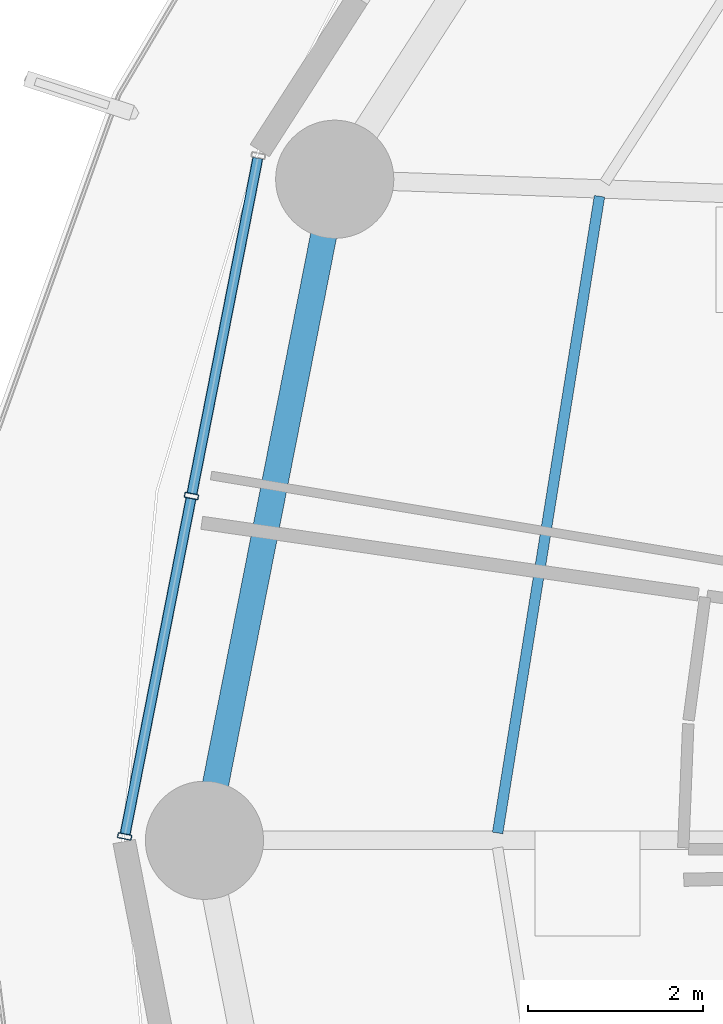
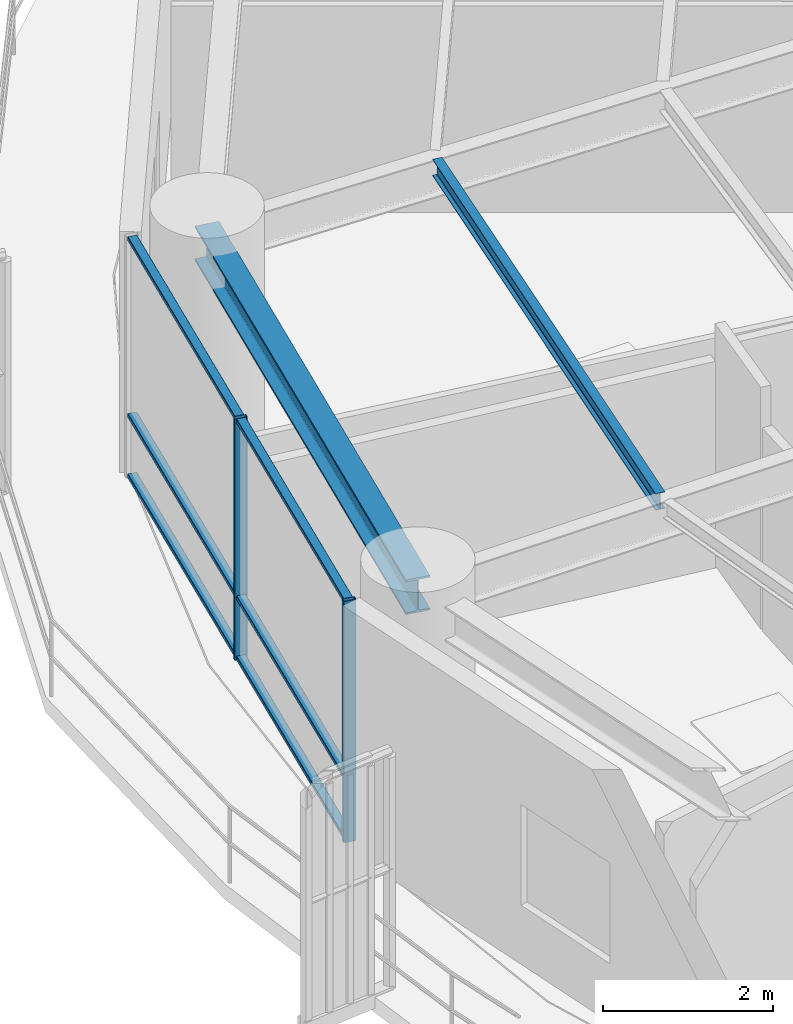
# One storey, part 8 of 35: 8 members, 2 beams, 1 element without a shape of its own.
"""IFC4 building model written with IfcOpenShell, lengths in metres."""

from ifc_helpers import new_model, si_unit, direction, frame, origin, origin_2d, place, context, subcontext, project, spatial, hollow_rectangle, i_section, extrude, material, layer, layer_set, material_profile, profile_set, type_object, element, aggregate, save


model = new_model("IFC4")

# Units and contexts
model_context = context("Model", 3, precision=1e-05, world=origin(), true_north=direction((0.0, 1.0)))
body_context = subcontext(model_context, "Body", "Model", "MODEL_VIEW")
ifc_project = project(units=[si_unit("LENGTHUNIT", "METRE"), si_unit("AREAUNIT", "SQUARE_METRE"), si_unit("VOLUMEUNIT", "CUBIC_METRE"), si_unit("PLANEANGLEUNIT", "RADIAN"), si_unit("MASSUNIT", "GRAM", prefix="KILO")], contexts=[model_context])

# Site, building, storey
site_placement = place(None, origin())
site = spatial("IfcSite", under=ifc_project, at=site_placement, CompositionType="ELEMENT")
building_placement = place(site_placement, origin())
building = spatial("IfcBuilding", under=site, at=building_placement, Name="Kelanora Arch Commons", CompositionType="ELEMENT")
storey_placement = place(building_placement, frame((0.0, 0.0, 91.35009765625)))
storey = spatial("IfcBuildingStorey", under=building, at=storey_placement, Name="L23", CompositionType="ELEMENT", Elevation=91.35009765625)

# Beams
ifc_material_1 = material(Name="Steel S355", Category="steel")
ifc_material_profile_1 = material_profile(ifc_material_1, i_section(OverallWidth=0.1201171875, OverallDepth=0.239990234375, WebThickness=0.006103515625, FlangeThickness=0.009765625, FilletRadius=0.014892578125, at=origin_2d()), Name="IPE240")
ifc_profile_set_1 = profile_set([ifc_material_profile_1], Name="Steel S355")
beam_type_1 = type_object("IfcBeamType", Name="BM-JST-02", PredefinedType="JOIST", material=ifc_profile_set_1)
beam_1_placement = place(storey_placement, frame((53.833251953125, 65.357421875, 3.369873046875), z_axis=(-0.157999549894, -0.987439184068, 0.0), x_axis=(0.987439184068, -0.157999549894, 0.0)))
element("IfcBeam", 1, at=beam_1_placement, inside=storey, type_object=beam_type_1, Name="Secondary Chord Joist BJC-16 L23", PredefinedType="JOIST", context=body_context, shape_type="SweptSolid", body=[
    extrude(i_section(OverallWidth=0.1201171875, OverallDepth=0.239990234375, WebThickness=0.006103515625, FlangeThickness=0.009765625, FilletRadius=0.014892578125, at=origin_2d()), origin(), (0.0, 0.0, 1.0), 7.365966796875),
])
ifc_material_profile_2 = material_profile(ifc_material_1, i_section(OverallWidth=0.300048828125, OverallDepth=0.5, WebThickness=0.014404296875, FlangeThickness=0.028076171875, FilletRadius=0.027099609375, at=origin_2d()), Name="HEB500")
ifc_profile_set_2 = profile_set([ifc_material_profile_2], Name="Steel S355")
beam_type_2 = type_object("IfcBeamType", Name="BM-SPN-Z2", PredefinedType="SPANDREL", material=ifc_profile_set_2)
beam_2_placement = place(storey_placement, frame((50.808349609375, 65.5517578125, 3.239990234375), z_axis=(-0.19335825777, -0.981128220037, 0.0), x_axis=(0.981128220037, -0.19335825777, 0.0)))
element("IfcBeam", 2, at=beam_2_placement, inside=storey, type_object=beam_type_2, Name="Perimeter Spandrel Beam BS-16 L23", PredefinedType="SPANDREL", context=body_context, shape_type="SweptSolid", body=[
    extrude(i_section(OverallWidth=0.300048828125, OverallDepth=0.5, WebThickness=0.014404296875, FlangeThickness=0.028076171875, FilletRadius=0.027099609375, at=origin_2d()), origin(), (0.0, 0.0, 1.0), 7.697021484375),
])

# Curtain wall, members
ifc_material_2 = material(Name="Terracotta ceramic-fritted low-E glass and aluminium", Category="masonry")
ifc_layer = layer(ifc_material_2, 0.159912109375)
ifc_layer_set = layer_set([ifc_layer], Name="Terracotta ceramic-fritted low-E glass and aluminium")
curtain_wall_type = type_object("IfcCurtainWallType", Name="CW-SYS-01", PredefinedType="NOTDEFINED", material=ifc_layer_set)
curtain_wall_placement = place(storey_placement, origin())
curtain_wall = element("IfcCurtainWall", 3, at=curtain_wall_placement, inside=storey, type_object=curtain_wall_type, Name="Unitised Curtain Wall L23-B08", PredefinedType="NOTDEFINED")
ifc_material_3 = material(Name="Powder-coated aluminium terracotta", Category="masonry")
ifc_material_profile_3 = material_profile(ifc_material_3, hollow_rectangle(XDim=0.159912109375, YDim=0.06005859375, WallThickness=0.0048828125, InnerFilletRadius=0.0048828125, OuterFilletRadius=0.010009765625, at=origin_2d()), Name="CWM160x60")
ifc_profile_set_3 = profile_set([ifc_material_profile_3], Name="Powder-coated aluminium terracotta")
member_type_1 = type_object("IfcMemberType", Name="CWM-STD", PredefinedType="MULLION", material=ifc_profile_set_3)
member_1_placement = place(storey_placement, frame((49.171875, 61.933349609375, 0.0), z_axis=(0.0, 0.0, 1.0), x_axis=(0.981280311646, -0.192584916272, 0.0)))
member_1 = element("IfcMember", 4, at=member_1_placement, type_object=member_type_1, Name="CW-01 mullion 2", PredefinedType="MULLION", context=body_context, shape_type="SweptSolid", body=[
    extrude(hollow_rectangle(XDim=0.159912109375, YDim=0.06005859375, WallThickness=0.0048828125, InnerFilletRadius=0.0048828125, OuterFilletRadius=0.010009765625, at=origin_2d()), origin(), (0.0, 0.0, 1.0), 3.474853515625),
])
member_2_placement = place(storey_placement, frame((48.40869140625, 58.044189453125, 0.0), z_axis=(0.0, 0.0, 1.0), x_axis=(0.981280311646, -0.192584916272, 0.0)))
member_2 = element("IfcMember", 5, at=member_2_placement, type_object=member_type_1, Name="CW-01 mullion 3", PredefinedType="MULLION", context=body_context, shape_type="SweptSolid", body=[
    extrude(hollow_rectangle(XDim=0.159912109375, YDim=0.06005859375, WallThickness=0.0048828125, InnerFilletRadius=0.0048828125, OuterFilletRadius=0.010009765625, at=origin_2d()), origin(), (0.0, 0.0, 1.0), 3.474853515625),
])
ifc_material_profile_4 = material_profile(ifc_material_3, hollow_rectangle(XDim=0.1201171875, YDim=0.06005859375, WallThickness=0.0048828125, InnerFilletRadius=0.0048828125, OuterFilletRadius=0.010009765625, at=origin_2d()), Name="CWT120x60")
ifc_profile_set_4 = profile_set([ifc_material_profile_4], Name="Powder-coated aluminium terracotta")
member_type_2 = type_object("IfcMemberType", Name="CWT-STD", PredefinedType="USERDEFINED", material=ifc_profile_set_4)
member_3_placement = place(storey_placement, frame((49.929443359375, 65.79296875, 0.02978515625), z_axis=(-0.192578614785, -0.981281548348, 0.0), x_axis=(0.981281548348, -0.192578614785, 0.0)))
member_3 = element("IfcMember", 6, at=member_3_placement, type_object=member_type_2, Name="CW-01 transom 1.1", ObjectType="TRANSOM", PredefinedType="USERDEFINED", context=body_context, shape_type="SweptSolid", body=[
    extrude(hollow_rectangle(XDim=0.1201171875, YDim=0.06005859375, WallThickness=0.0048828125, InnerFilletRadius=0.0048828125, OuterFilletRadius=0.010009765625, at=origin_2d()), origin(), (0.0, 0.0, 1.0), 3.9033203125),
])
member_4_placement = place(storey_placement, frame((49.929443359375, 65.79296875, 0.89990234375), z_axis=(-0.192578614785, -0.981281548348, 0.0), x_axis=(0.981281548348, -0.192578614785, 0.0)))
member_4 = element("IfcMember", 7, at=member_4_placement, type_object=member_type_2, Name="CW-01 transom 1.2", ObjectType="TRANSOM", PredefinedType="USERDEFINED", context=body_context, shape_type="SweptSolid", body=[
    extrude(hollow_rectangle(XDim=0.1201171875, YDim=0.06005859375, WallThickness=0.0048828125, InnerFilletRadius=0.0048828125, OuterFilletRadius=0.010009765625, at=origin_2d()), origin(), (0.0, 0.0, 1.0), 3.9033203125),
])
member_5_placement = place(storey_placement, frame((49.929443359375, 65.79296875, 3.44482421875), z_axis=(-0.192578614785, -0.981281548348, 0.0), x_axis=(0.981281548348, -0.192578614785, 0.0)))
member_5 = element("IfcMember", 8, at=member_5_placement, type_object=member_type_2, Name="CW-01 transom 1.3", ObjectType="TRANSOM", PredefinedType="USERDEFINED", context=body_context, shape_type="SweptSolid", body=[
    extrude(hollow_rectangle(XDim=0.1201171875, YDim=0.06005859375, WallThickness=0.0048828125, InnerFilletRadius=0.0048828125, OuterFilletRadius=0.010009765625, at=origin_2d()), origin(), (0.0, 0.0, 1.0), 3.9033203125),
])
member_6_placement = place(storey_placement, frame((49.166259765625, 61.90380859375, 0.02978515625), z_axis=(-0.192578614785, -0.981281548348, 0.0), x_axis=(0.981281548348, -0.192578614785, 0.0)))
member_6 = element("IfcMember", 9, at=member_6_placement, type_object=member_type_2, Name="CW-01 transom 2.1", ObjectType="TRANSOM", PredefinedType="USERDEFINED", context=body_context, shape_type="SweptSolid", body=[
    extrude(hollow_rectangle(XDim=0.1201171875, YDim=0.06005859375, WallThickness=0.0048828125, InnerFilletRadius=0.0048828125, OuterFilletRadius=0.010009765625, at=origin_2d()), origin(), (0.0, 0.0, 1.0), 3.9033203125),
])
member_7_placement = place(storey_placement, frame((49.166259765625, 61.90380859375, 0.89990234375), z_axis=(-0.192578614785, -0.981281548348, 0.0), x_axis=(0.981281548348, -0.192578614785, 0.0)))
member_7 = element("IfcMember", 10, at=member_7_placement, type_object=member_type_2, Name="CW-01 transom 2.2", ObjectType="TRANSOM", PredefinedType="USERDEFINED", context=body_context, shape_type="SweptSolid", body=[
    extrude(hollow_rectangle(XDim=0.1201171875, YDim=0.06005859375, WallThickness=0.0048828125, InnerFilletRadius=0.0048828125, OuterFilletRadius=0.010009765625, at=origin_2d()), origin(), (0.0, 0.0, 1.0), 3.9033203125),
])
member_8_placement = place(storey_placement, frame((49.166259765625, 61.90380859375, 3.44482421875), z_axis=(-0.192578614785, -0.981281548348, 0.0), x_axis=(0.981281548348, -0.192578614785, 0.0)))
member_8 = element("IfcMember", 11, at=member_8_placement, type_object=member_type_2, Name="CW-01 transom 2.3", ObjectType="TRANSOM", PredefinedType="USERDEFINED", context=body_context, shape_type="SweptSolid", body=[
    extrude(hollow_rectangle(XDim=0.1201171875, YDim=0.06005859375, WallThickness=0.0048828125, InnerFilletRadius=0.0048828125, OuterFilletRadius=0.010009765625, at=origin_2d()), origin(), (0.0, 0.0, 1.0), 3.9033203125),
])
aggregate(curtain_wall, [member_1, member_2, member_3, member_4, member_5, member_6, member_7, member_8])

save(model, "model.ifc")
